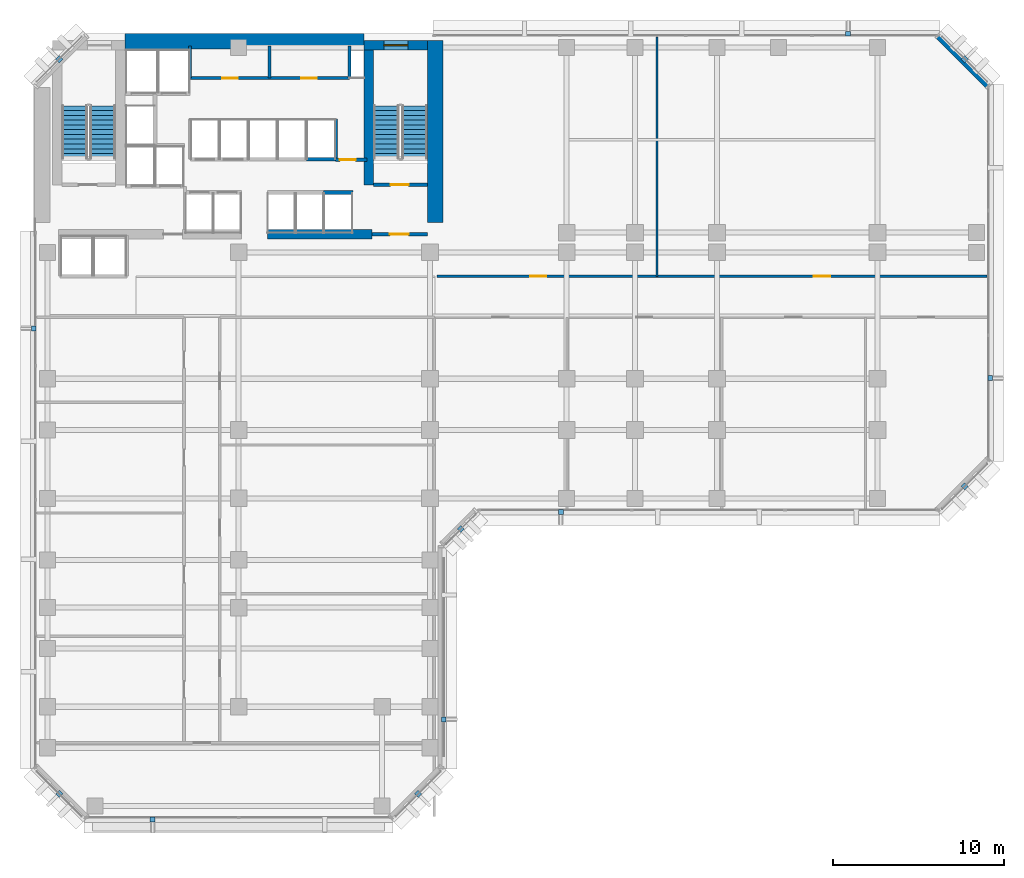
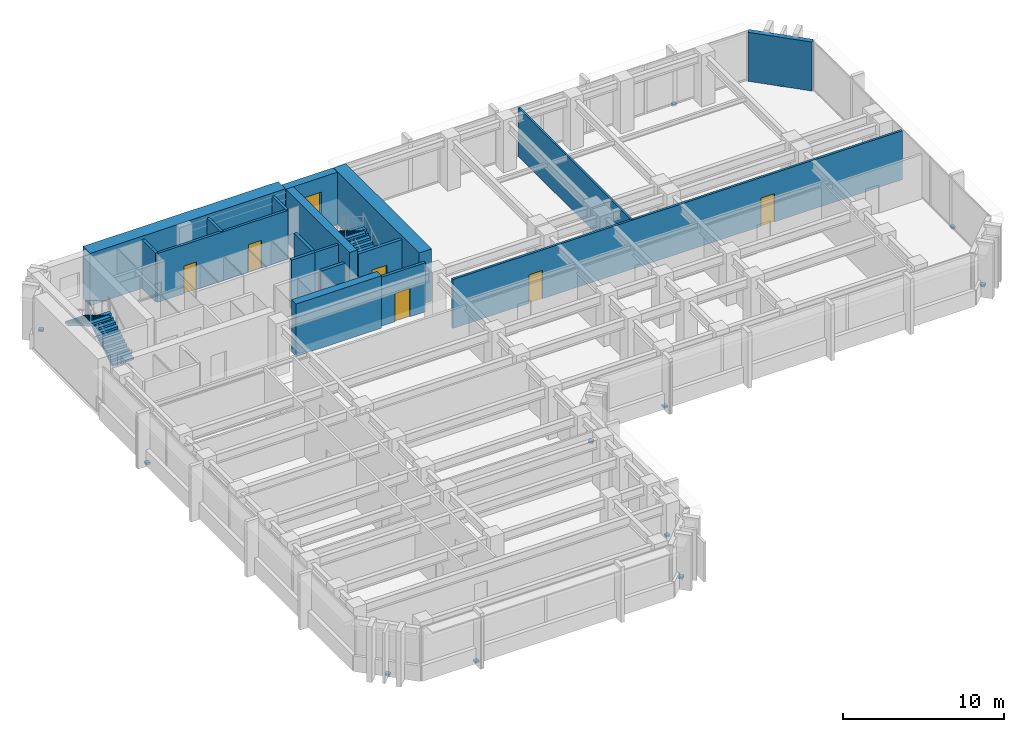
# One storey, part 8 of 13: 18 walls, 12 discrete accessories, 7 doors, 4 stair flights, 1 window, 8 openings, 2 elements without a shape of their own.
"""IFC4 building model written with IfcOpenShell, lengths in metres."""

from ifc_helpers import new_model, si_unit, direction, frame, frame_2d, origin, origin_2d, place, context, subcontext, project, spatial, polyline, rectangle, outline, extrude, material, layer, layer_set, type_object, element, fill, aggregate, save


model = new_model("IFC4")

# Units and contexts
model_context = context("Model", 3, precision=1e-05, world=origin(), true_north=direction((0.0, 1.0)))
body_context = subcontext(model_context, "Body", "Model", "MODEL_VIEW")
ifc_project = project(units=[si_unit("LENGTHUNIT", "METRE"), si_unit("AREAUNIT", "SQUARE_METRE"), si_unit("VOLUMEUNIT", "CUBIC_METRE"), si_unit("PLANEANGLEUNIT", "RADIAN"), si_unit("MASSUNIT", "GRAM", prefix="KILO")], contexts=[model_context])

# Site, building, storey
site_placement = place(None, origin())
site = spatial("IfcSite", under=ifc_project, at=site_placement, CompositionType="ELEMENT")
building_placement = place(site_placement, origin())
building = spatial("IfcBuilding", under=site, at=building_placement, Name="Kefirva Bronze Tower", CompositionType="ELEMENT")
storey_placement = place(building_placement, frame((0.0, 0.0, 54.1201171875)))
storey = spatial("IfcBuildingStorey", under=building, at=storey_placement, Name="L12", CompositionType="ELEMENT", Elevation=54.1201171875)

# Wall
ifc_material_1 = material(Name="Gypsum acoustic partition")
ifc_layer_1 = layer(ifc_material_1, 0.1298828125, Name="Gypsum acoustic partition")
ifc_layer_set_1 = layer_set([ifc_layer_1], Name="Gypsum acoustic partition")
wall_type_1 = type_object("IfcWallType", Name="Acoustic Office Partition 130mm", PredefinedType="PARTITIONING", material=ifc_layer_set_1)
wall_1_placement = place(storey_placement, frame((36.48388671875, 31.800048828125, 0.0), z_axis=(0.0, 0.0, 1.0), x_axis=(0.0, 1.0, 0.0)))
element("IfcWall", 1, at=wall_1_placement, inside=storey, type_object=wall_type_1, Name="L12 Partition W-L12-END1", PredefinedType="PARTITIONING", context=body_context, shape_type="SweptSolid", body=[
    extrude(rectangle(XDim=14.010009765625, YDim=0.1298828125, at=frame_2d((7.0048828125, 0.0))), origin(), (0.0, 0.0, 1.0), 3.7099609375),
])

# Wall, opening, door
ifc_material_2 = material(Name="Gypsum fireboard shaftwall")
ifc_layer_2 = layer(ifc_material_2, 0.219970703125, Name="Gypsum fireboard shaftwall")
ifc_layer_set_2 = layer_set([ifc_layer_2], Name="Gypsum fireboard shaftwall")
wall_type_2 = type_object("IfcWallType", Name="Fire-Rated Shaft Enclosure Wall 220mm", PredefinedType="PARTITIONING", material=ifc_layer_set_2)
wall_2_placement = place(storey_placement, frame((19.89990234375, 37.14990234375, 0.0), z_axis=(0.0, 0.0, 1.0), x_axis=(1.0, 0.0, 0.0)))
wall_2 = element("IfcWall", 2, at=wall_2_placement, inside=storey, type_object=wall_type_2, Name="L12 Partition W-L12-ST2S", PredefinedType="PARTITIONING", context=body_context, shape_type="SweptSolid", body=[
    extrude(rectangle(XDim=3.150146484375, YDim=0.219970703125, at=frame_2d((1.5751953125, 0.0))), origin(), (0.0, 0.0, 1.0), 3.7099609375),
])
opening_1_placement = place(wall_2_placement, frame((2.050048828125, 0.0, 0.0), z_axis=(0.0, 0.0, 1.0), x_axis=(-1.0, 0.0, 0.0)))
opening_1 = element("IfcOpeningElement", 3, at=opening_1_placement, cuts=wall_2, Name="Opening L12-D003", PredefinedType="OPENING", context=body_context, shape_type="SweptSolid", body=[
    extrude(rectangle(XDim=1.050048828125, YDim=2.14990234375, at=frame_2d((0.52490234375, 1.074951171875))), frame((0.0, 0.1201171875, 0.0), z_axis=(0.0, -1.0, 0.0), x_axis=(1.0, 0.0, 0.0)), (0.0, 0.0, 1.0), 0.239990234375),
])
ifc_material_3 = material(Name="Painted galvanized steel", Category="steel")
door_type_1 = type_object("IfcDoorType", Name="Fire Stair Enclosure Door 1050x2150 FD90S", OperationType="NOTDEFINED", PredefinedType="DOOR", material=ifc_material_3)
door_1_placement = place(opening_1_placement, origin())
door_1 = element("IfcDoor", 4, at=door_1_placement, inside=storey, type_object=door_type_1, Name="Door L12-D003", OperationType="SINGLE_SWING_RIGHT", OverallHeight=2.14990234375, OverallWidth=1.050048828125, PredefinedType="DOOR", context=body_context, shape_type="SweptSolid", body=[
    extrude(rectangle(XDim=1.050048828125, YDim=2.14990234375, at=frame_2d((0.52490234375, 1.074951171875))), frame((0.0, 0.02490234375, 0.0), z_axis=(0.0, -1.0, 0.0), x_axis=(1.0, 0.0, 0.0)), (0.0, 0.0, 1.0), 0.050048828125),
])
fill(opening_1, door_1)

# Walls
wall_3_placement = place(storey_placement, frame((17.679931640625, 38.64990234375, 0.0), z_axis=(0.0, 0.0, 1.0), x_axis=(0.0, 1.0, 0.0)))
element("IfcWall", 5, at=wall_3_placement, inside=storey, type_object=wall_type_2, Name="L12 Partition W-L12-HP2E", PredefinedType="PARTITIONING", context=body_context, shape_type="SweptSolid", body=[
    extrude(rectangle(XDim=2.35009765625, YDim=0.199951171875, at=frame_2d((1.175048828125, 0.0))), origin(), (0.0, 0.0, 1.0), 3.7099609375),
])
wall_4_placement = place(storey_placement, frame((16.97998046875, 36.699951171875, 0.0), z_axis=(0.0, 0.0, 1.0), x_axis=(1.0, 0.0, 0.0)))
element("IfcWall", 6, at=wall_4_placement, inside=storey, type_object=wall_type_2, Name="L12 Partition W-L12-HPS", PredefinedType="PARTITIONING", context=body_context, shape_type="SweptSolid", body=[
    extrude(rectangle(XDim=1.699951171875, YDim=0.219970703125, at=frame_2d((0.85009765625, 0.0))), origin(), (0.0, 0.0, 1.0), 3.7099609375),
])
wall_5_placement = place(storey_placement, frame((15.97998046875, 38.64990234375, 0.0), z_axis=(0.0, 0.0, 1.0), x_axis=(1.0, 0.0, 0.0)))
element("IfcWall", 7, at=wall_5_placement, inside=storey, type_object=wall_type_2, Name="L12 Partition W-L12-HPN", PredefinedType="PARTITIONING", context=body_context, shape_type="SweptSolid", body=[
    extrude(rectangle(XDim=1.719970703125, YDim=0.219970703125, at=frame_2d((0.85986328125, 0.0))), origin(), (0.0, 0.0, 1.0), 3.7099609375),
])

# Wall, opening, door
ifc_material_4 = material(Name="Gypsum fireboard barrier")
ifc_layer_3 = layer(ifc_material_4, 0.199951171875, Name="Gypsum fireboard barrier")
ifc_layer_set_3 = layer_set([ifc_layer_3], Name="Gypsum fireboard barrier")
wall_type_3 = type_object("IfcWallType", Name="Firefighting Lobby Barrier Wall 200mm", PredefinedType="PARTITIONING", material=ifc_layer_set_3)
wall_6_placement = place(storey_placement, frame((19.800048828125, 34.25, 0.0), z_axis=(0.0, 0.0, 1.0), x_axis=(1.0, 0.0, 0.0)))
wall_6 = element("IfcWall", 8, at=wall_6_placement, inside=storey, type_object=wall_type_3, Name="L12 Partition W-L12-ST2F", PredefinedType="PARTITIONING", context=body_context, shape_type="SweptSolid", body=[
    extrude(rectangle(XDim=3.25, YDim=0.199951171875, at=frame_2d((1.625, 0.0))), origin(), (0.0, 0.0, 1.0), 3.7099609375),
])
opening_2_placement = place(wall_6_placement, frame((2.150146484375, 0.0, 0.0), z_axis=(0.0, 0.0, 1.0), x_axis=(-1.0, 0.0, 0.0)))
opening_2 = element("IfcOpeningElement", 9, at=opening_2_placement, cuts=wall_6, Name="Opening L12-D004", PredefinedType="OPENING", context=body_context, shape_type="SweptSolid", body=[
    extrude(rectangle(XDim=1.10009765625, YDim=2.14990234375, at=frame_2d((0.550048828125, 1.074951171875))), frame((0.0, 0.10986328125, 0.0), z_axis=(0.0, -1.0, 0.0), x_axis=(1.0, 0.0, 0.0)), (0.0, 0.0, 1.0), 0.219970703125),
])
door_type_2 = type_object("IfcDoorType", Name="Firefighting Lobby Smoke Door 1100x2150 FD60S", OperationType="NOTDEFINED", PredefinedType="DOOR", material=ifc_material_3)
door_2_placement = place(opening_2_placement, origin())
door_2 = element("IfcDoor", 10, at=door_2_placement, inside=storey, type_object=door_type_2, Name="Door L12-D004", OperationType="SINGLE_SWING_LEFT", OverallHeight=2.14990234375, OverallWidth=1.10009765625, PredefinedType="DOOR", context=body_context, shape_type="SweptSolid", body=[
    extrude(rectangle(XDim=1.10009765625, YDim=2.14990234375, at=frame_2d((0.550048828125, 1.074951171875))), frame((0.0, 0.02490234375, 0.0), z_axis=(0.0, -1.0, 0.0), x_axis=(1.0, 0.0, 0.0)), (0.0, 0.0, 1.0), 0.050048828125),
])
fill(opening_2, door_2)

wall_7_placement = place(storey_placement, frame((17.679931640625, 38.6201171875, 0.0), z_axis=(0.0, 0.0, 1.0), x_axis=(1.0, 0.0, 0.0)))
wall_7 = element("IfcWall", 11, at=wall_7_placement, inside=storey, type_object=wall_type_3, Name="L12 Partition W-L12-CPASS", PredefinedType="PARTITIONING", context=body_context, shape_type="SweptSolid", body=[
    extrude(rectangle(XDim=1.840087890625, YDim=0.179931640625, at=frame_2d((0.919921875, 0.0))), origin(), (0.0, 0.0, 1.0), 3.7099609375),
])
opening_3_placement = place(wall_7_placement, frame((0.239990234375, 0.0, 0.0)))
opening_3 = element("IfcOpeningElement", 12, at=opening_3_placement, cuts=wall_7, Name="Opening L12-D-CPAS", PredefinedType="OPENING", context=body_context, shape_type="SweptSolid", body=[
    extrude(rectangle(XDim=0.919921875, YDim=2.10009765625, at=frame_2d((0.4599609375, 1.050048828125))), frame((0.0, 0.10009765625, 0.0), z_axis=(0.0, -1.0, 0.0), x_axis=(1.0, 0.0, 0.0)), (0.0, 0.0, 1.0), 0.199951171875),
])
ifc_material_5 = material(Name="Moisture-resistant timber", Category="wood")
door_type_3 = type_object("IfcDoorType", Name="Accessible Sanitary & WC Door 920x2100", OperationType="NOTDEFINED", PredefinedType="DOOR", material=ifc_material_5)
door_3_placement = place(opening_3_placement, origin())
door_3 = element("IfcDoor", 13, at=door_3_placement, inside=storey, type_object=door_type_3, Name="Door L12-D-CPAS", OperationType="SINGLE_SWING_RIGHT", OverallHeight=2.10009765625, OverallWidth=0.919921875, PredefinedType="DOOR", context=body_context, shape_type="SweptSolid", body=[
    extrude(rectangle(XDim=0.919921875, YDim=2.10009765625, at=frame_2d((0.4599609375, 1.050048828125))), frame((0.0, 0.02490234375, 0.0), z_axis=(0.0, -1.0, 0.0), x_axis=(1.0, 0.0, 0.0)), (0.0, 0.0, 1.0), 0.050048828125),
])
fill(opening_3, door_3)

# Wall
ifc_material_6 = material(Name="Precast concrete C40/50", Category="concrete")
ifc_layer_4 = layer(ifc_material_6, 0.320068359375, Name="Precast concrete C40/50")
ifc_layer_set_4 = layer_set([ifc_layer_4], Name="Precast concrete C40/50")
wall_type_4 = type_object("IfcWallType", Name="Precast Insulated Exterior Wall 320mm", PredefinedType="SOLIDWALL", material=ifc_layer_set_4)
wall_8_placement = place(storey_placement, frame((55.847900390625, 42.92578125, 0.0), z_axis=(0.0, 0.0, 1.0), x_axis=(-0.707106781187, 0.707106781187, 0.0)))
element("IfcWall", 14, at=wall_8_placement, inside=storey, type_object=wall_type_4, Name="L12 Exterior Facade Wall 5", PredefinedType="SOLIDWALL", context=body_context, shape_type="SweptSolid", body=[
    extrude(rectangle(XDim=4.132568359375, YDim=0.320068359375, at=frame_2d((2.06640625, 0.0))), origin(), (0.0, 0.0, 1.0), 3.7099609375),
])

# Wall, openings, doors
ifc_layer_5 = layer(ifc_material_1, 0.159912109375, Name="Gypsum acoustic partition")
ifc_layer_set_5 = layer_set([ifc_layer_5], Name="Gypsum acoustic partition")
wall_type_5 = type_object("IfcWallType", Name="Protected Corridor Partition 160mm", PredefinedType="PARTITIONING", material=ifc_layer_set_5)
wall_9_placement = place(storey_placement, frame((23.60009765625, 31.800048828125, 0.0), z_axis=(0.0, 0.0, 1.0), x_axis=(1.0, 0.0, 0.0)))
wall_9 = element("IfcWall", 15, at=wall_9_placement, inside=storey, type_object=wall_type_5, Name="L12 Partition W-L12-EWN", PredefinedType="PARTITIONING", context=body_context, shape_type="SweptSolid", body=[
    extrude(rectangle(XDim=32.2099609375, YDim=0.159912109375, at=frame_2d((16.10498046875, 0.0))), origin(), (0.0, 0.0, 1.0), 3.7099609375),
])
opening_4_placement = place(wall_9_placement, frame((5.467041015625, 0.0, 0.0)))
opening_4 = element("IfcOpeningElement", 16, at=opening_4_placement, cuts=wall_9, Name="Opening L12-D-EN1", PredefinedType="OPENING", context=body_context, shape_type="SweptSolid", body=[
    extrude(rectangle(XDim=0.949951171875, YDim=2.14990234375, at=frame_2d((0.47509765625, 1.074951171875))), frame((0.0, 0.08984375, 0.0), z_axis=(0.0, -1.0, 0.0), x_axis=(1.0, 0.0, 0.0)), (0.0, 0.0, 1.0), 0.179931640625),
])
opening_5_placement = place(wall_9_placement, frame((22.072021484375, 0.0, 0.0)))
opening_5 = element("IfcOpeningElement", 17, at=opening_5_placement, cuts=wall_9, Name="Opening L12-D-EN2", PredefinedType="OPENING", context=body_context, shape_type="SweptSolid", body=[
    extrude(rectangle(XDim=0.949951171875, YDim=2.14990234375, at=frame_2d((0.47509765625, 1.074951171875))), frame((0.0, 0.08984375, 0.0), z_axis=(0.0, -1.0, 0.0), x_axis=(1.0, 0.0, 0.0)), (0.0, 0.0, 1.0), 0.179931640625),
])
ifc_material_7 = material(Name="Acoustic hardwood oak", Category="wood")
door_type_4 = type_object("IfcDoorType", Name="Office & Meeting Room Door 950x2150", OperationType="NOTDEFINED", PredefinedType="DOOR", material=ifc_material_7)
door_4_placement = place(opening_4_placement, origin())
door_4 = element("IfcDoor", 18, at=door_4_placement, inside=storey, type_object=door_type_4, Name="Door L12-D-EN1", OperationType="SINGLE_SWING_LEFT", OverallHeight=2.14990234375, OverallWidth=0.949951171875, PredefinedType="DOOR", context=body_context, shape_type="SweptSolid", body=[
    extrude(rectangle(XDim=0.949951171875, YDim=2.14990234375, at=frame_2d((0.47509765625, 1.074951171875))), frame((0.0, 0.02490234375, 0.0), z_axis=(0.0, -1.0, 0.0), x_axis=(1.0, 0.0, 0.0)), (0.0, 0.0, 1.0), 0.050048828125),
])
fill(opening_4, door_4)
door_5_placement = place(opening_5_placement, origin())
door_5 = element("IfcDoor", 19, at=door_5_placement, inside=storey, type_object=door_type_4, Name="Door L12-D-EN2", OperationType="SINGLE_SWING_RIGHT", OverallHeight=2.14990234375, OverallWidth=0.949951171875, PredefinedType="DOOR", context=body_context, shape_type="SweptSolid", body=[
    extrude(rectangle(XDim=0.949951171875, YDim=2.14990234375, at=frame_2d((0.47509765625, 1.074951171875))), frame((0.0, 0.02490234375, 0.0), z_axis=(0.0, -1.0, 0.0), x_axis=(1.0, 0.0, 0.0)), (0.0, 0.0, 1.0), 0.050048828125),
])
fill(opening_5, door_5)

# Wall, opening, window
ifc_material_8 = material(Name="Concrete C50/60", Category="concrete")
ifc_layer_6 = layer(ifc_material_8, 0.550048828125, Name="Concrete C50/60")
ifc_layer_set_6 = layer_set([ifc_layer_6], Name="Concrete C50/60")
wall_type_6 = type_object("IfcWallType", Name="RC Rear Core Exterior Wall 550mm", PredefinedType="SHEAR", material=ifc_layer_set_6)
wall_10_placement = place(storey_placement, frame((19.35009765625, 45.320068359375, 0.0), z_axis=(0.0, 0.0, 1.0), x_axis=(1.0, 0.0, 0.0)))
wall_10 = element("IfcWall", 20, at=wall_10_placement, inside=storey, type_object=wall_type_6, Name="L12 Stair 2 North Shear Wall", PredefinedType="SHEAR", context=body_context, shape_type="SweptSolid", body=[
    extrude(rectangle(XDim=3.68994140625, YDim=0.550048828125, at=frame_2d((1.844970703125, 0.0))), origin(), (0.0, 0.0, 1.0), 3.9599609375),
])
opening_6_placement = place(wall_10_placement, frame((1.14990234375, 0.0, 1.050048828125)))
opening_6 = element("IfcOpeningElement", 21, at=opening_6_placement, cuts=wall_10, Name="Opening WN-03", PredefinedType="OPENING", context=body_context, shape_type="SweptSolid", body=[
    extrude(rectangle(XDim=1.39990234375, YDim=1.800048828125, at=frame_2d((0.699951171875, 0.89990234375))), frame((0.0, 0.28515625, 0.0), z_axis=(0.0, -1.0, 0.0), x_axis=(1.0, 0.0, 0.0)), (0.0, 0.0, 1.0), 0.570068359375),
])
ifc_material_9 = material(Name="Laminated low-E double glazing", Category="glass")
window_type = type_object("IfcWindowType", Name="Rear-Core Stair Daylight Window 1400x1800", PartitioningType="SINGLE_PANEL", PredefinedType="WINDOW", material=ifc_material_9)
window_placement = place(opening_6_placement, origin())
window = element("IfcWindow", 22, at=window_placement, inside=storey, type_object=window_type, Name="L12 Stair 2 Daylight Window", OverallHeight=1.800048828125, OverallWidth=1.39990234375, PartitioningType="SINGLE_PANEL", PredefinedType="WINDOW", context=body_context, shape_type="SweptSolid", body=[
    extrude(rectangle(XDim=1.39990234375, YDim=1.800048828125, at=frame_2d((0.699951171875, 0.89990234375))), frame((0.0, 0.030029296875, 0.0), z_axis=(0.0, -1.0, 0.0), x_axis=(1.0, 0.0, 0.0)), (0.0, 0.0, 1.0), 0.06005859375),
])
fill(opening_6, window)

# Walls
ifc_material_10 = material(Name="Concrete C60/75", Category="concrete")
ifc_layer_7 = layer(ifc_material_10, 0.89990234375, Name="Concrete C60/75")
ifc_layer_set_7 = layer_set([ifc_layer_7], Name="Concrete C60/75")
wall_type_7 = type_object("IfcWallType", Name="RC Rear Core Exterior Wall 900mm", PredefinedType="SHEAR", material=ifc_layer_set_7)
wall_11_placement = place(storey_placement, frame((5.360107421875, 45.550048828125, 0.0), z_axis=(0.0, 0.0, 1.0), x_axis=(1.0, 0.0, 0.0)))
element("IfcWall", 23, at=wall_11_placement, inside=storey, type_object=wall_type_7, Name="L12 Rear Core North Shear Wall", PredefinedType="SHEAR", context=body_context, shape_type="SweptSolid", body=[
    extrude(rectangle(XDim=13.97998046875, YDim=0.89990234375, at=frame_2d((6.989990234375, 0.0))), origin(), (0.0, 0.0, 1.0), 3.9599609375),
])
ifc_layer_8 = layer(ifc_material_8, 0.550048828125, Name="Concrete C50/60")
ifc_layer_set_8 = layer_set([ifc_layer_8], Name="Concrete C50/60")
wall_type_8 = type_object("IfcWallType", Name="RC Rear Core Interior Wall 550mm", PredefinedType="SHEAR", material=ifc_layer_set_8)
wall_12_placement = place(storey_placement, frame((19.6201171875, 37.14990234375, 0.0), z_axis=(0.0, 0.0, 1.0), x_axis=(0.0, 1.0, 0.0)))
element("IfcWall", 24, at=wall_12_placement, inside=storey, type_object=wall_type_8, Name="L12 Stair 2 West Shear Wall", PredefinedType="SHEAR", context=body_context, shape_type="SweptSolid", body=[
    extrude(rectangle(XDim=7.89013671875, YDim=0.550048828125, at=frame_2d((3.945068359375, 0.0))), origin(), (0.0, 0.0, 1.0), 3.9599609375),
])
ifc_layer_9 = layer(ifc_material_10, 0.89990234375, Name="Concrete C60/75")
ifc_layer_set_9 = layer_set([ifc_layer_9], Name="Concrete C60/75")
wall_type_9 = type_object("IfcWallType", Name="RC Rear Core Interior Wall 900mm", PredefinedType="SHEAR", material=ifc_layer_set_9)
wall_13_placement = place(storey_placement, frame((23.5, 34.949951171875, 0.0), z_axis=(0.0, 0.0, 1.0), x_axis=(0.0, 1.0, 0.0)))
element("IfcWall", 25, at=wall_13_placement, inside=storey, type_object=wall_type_9, Name="L12 Rear Core East Shear Wall", PredefinedType="SHEAR", context=body_context, shape_type="SweptSolid", body=[
    extrude(rectangle(XDim=10.64013671875, YDim=0.89990234375, at=frame_2d((5.320068359375, 0.0))), origin(), (0.0, 0.0, 1.0), 3.9599609375),
])
wall_14_placement = place(storey_placement, frame((13.679931640625, 34.25, 0.0), z_axis=(0.0, 0.0, 1.0), x_axis=(1.0, 0.0, 0.0)))
element("IfcWall", 26, at=wall_14_placement, inside=storey, type_object=wall_type_9, Name="L12 Rear Core South-East Shear Wall", PredefinedType="SHEAR", context=body_context, shape_type="SweptSolid", body=[
    extrude(rectangle(XDim=6.1201171875, YDim=0.550048828125, at=frame_2d((3.06005859375, 0.0))), origin(), (0.0, 0.0, 1.0), 3.9599609375),
])

# Wall, openings, doors
ifc_material_11 = material(Name="Moisture-resistant partition")
ifc_layer_10 = layer(ifc_material_11, 0.179931640625, Name="Moisture-resistant partition")
ifc_layer_set_10 = layer_set([ifc_layer_10], Name="Moisture-resistant partition")
wall_type_10 = type_object("IfcWallType", Name="Sanitary Plumbing Chase Wall 180mm", PredefinedType="PLUMBINGWALL", material=ifc_layer_set_10)
wall_15_placement = place(storey_placement, frame((9.14990234375, 43.39990234375, 0.0), z_axis=(0.0, 0.0, 1.0), x_axis=(1.0, 0.0, 0.0)))
wall_15 = element("IfcWall", 27, at=wall_15_placement, inside=storey, type_object=wall_type_10, Name="L12 Partition W-L12-SVCS", PredefinedType="PLUMBINGWALL", context=body_context, shape_type="SweptSolid", body=[
    extrude(rectangle(XDim=9.330078125, YDim=0.179931640625, at=frame_2d((4.6650390625, 0.0))), origin(), (0.0, 0.0, 1.0), 3.7099609375),
])
opening_7_placement = place(wall_15_placement, frame((1.8798828125, 0.0, 0.0)))
opening_7 = element("IfcOpeningElement", 28, at=opening_7_placement, cuts=wall_15, Name="Opening L12-D-CSVC1", PredefinedType="OPENING", context=body_context, shape_type="SweptSolid", body=[
    extrude(rectangle(XDim=0.919921875, YDim=2.10009765625, at=frame_2d((0.4599609375, 1.050048828125))), frame((0.0, 0.10009765625, 0.0), z_axis=(0.0, -1.0, 0.0), x_axis=(1.0, 0.0, 0.0)), (0.0, 0.0, 1.0), 0.199951171875),
])
opening_8_placement = place(wall_15_placement, frame((6.514892578125, 0.0, 0.0)))
opening_8 = element("IfcOpeningElement", 29, at=opening_8_placement, cuts=wall_15, Name="Opening L12-D-CSVC2", PredefinedType="OPENING", context=body_context, shape_type="SweptSolid", body=[
    extrude(rectangle(XDim=0.919921875, YDim=2.10009765625, at=frame_2d((0.4599609375, 1.050048828125))), frame((0.0, 0.10009765625, 0.0), z_axis=(0.0, -1.0, 0.0), x_axis=(1.0, 0.0, 0.0)), (0.0, 0.0, 1.0), 0.199951171875),
])
door_6_placement = place(opening_7_placement, origin())
door_6 = element("IfcDoor", 30, at=door_6_placement, inside=storey, type_object=door_type_3, Name="Door L12-D-CSVC1", OperationType="SINGLE_SWING_LEFT", OverallHeight=2.10009765625, OverallWidth=0.919921875, PredefinedType="DOOR", context=body_context, shape_type="SweptSolid", body=[
    extrude(rectangle(XDim=0.919921875, YDim=2.10009765625, at=frame_2d((0.4599609375, 1.050048828125))), frame((0.0, 0.02490234375, 0.0), z_axis=(0.0, -1.0, 0.0), x_axis=(1.0, 0.0, 0.0)), (0.0, 0.0, 1.0), 0.050048828125),
])
fill(opening_7, door_6)
door_7_placement = place(opening_8_placement, origin())
door_7 = element("IfcDoor", 31, at=door_7_placement, inside=storey, type_object=door_type_3, Name="Door L12-D-CSVC2", OperationType="SINGLE_SWING_RIGHT", OverallHeight=2.10009765625, OverallWidth=0.919921875, PredefinedType="DOOR", context=body_context, shape_type="SweptSolid", body=[
    extrude(rectangle(XDim=0.919921875, YDim=2.10009765625, at=frame_2d((0.4599609375, 1.050048828125))), frame((0.0, 0.02490234375, 0.0), z_axis=(0.0, -1.0, 0.0), x_axis=(1.0, 0.0, 0.0)), (0.0, 0.0, 1.0), 0.050048828125),
])
fill(opening_8, door_7)

# Walls
for number, where, z_axis, x_axis, name in (
    (32, (9.14990234375, 43.39990234375, 0.0), (0.0, 0.0, 1.0), (0.0, 1.0, 0.0), "L12 Partition W-L12-SVCW"),
    (33, (18.47998046875, 43.39990234375, 0.0), (0.0, 0.0, 1.0), (0.0, 1.0, 0.0), "L12 Partition W-L12-SVCE"),
    (34, (13.800048828125, 43.39990234375, 0.0), (0.0, 0.0, 1.0), (0.0, 1.0, 0.0), "L12 Partition W-L12-CSVD-1"),
):
    element("IfcWall", number, at=place(storey_placement, frame(where, z_axis=z_axis, x_axis=x_axis)), inside=storey, type_object=wall_type_10, Name=name, PredefinedType="PLUMBINGWALL", context=body_context, shape_type="SweptSolid", body=[
        extrude(rectangle(XDim=1.880126953125, YDim=0.179931640625, at=frame_2d((0.93994140625, 0.0))), origin(), (0.0, 0.0, 1.0), 3.7099609375),
    ])

# Stair, stair flights
ifc_material_12 = material(Name="Concrete C40/50", Category="concrete")
stair_type = type_object("IfcStairType", Name="RC Dogleg Protected Stair 24R", PredefinedType="HALF_TURN_STAIR", material=ifc_material_12)
stair_1_placement = place(storey_placement, origin())
stair_1 = element("IfcStair", 35, at=stair_1_placement, inside=storey, type_object=stair_type, Name="L12 Protected Exit Stair 1", PredefinedType="HALF_TURN_STAIR")
stair_flight_type = type_object("IfcStairFlightType", Name="RC Straight Stair Flight 24R", PredefinedType="STRAIGHT", material=ifc_material_12)
stair_flight_1_placement = place(storey_placement, frame((4.050048828125, 38.699951171875, 0.0), z_axis=(0.0, 0.0, 1.0), x_axis=(0.0, 1.0, 0.0)))
stair_flight_1 = element("IfcStairFlight", 36, at=stair_flight_1_placement, type_object=stair_flight_type, Name="ST-1 flight 1", NumberOfRisers=12, NumberOfTreads=11, PredefinedType="STRAIGHT", RiserHeight=0.165, TreadLength=0.28, context=body_context, shape_type="SweptSolid", body=[
    extrude(outline(polyline([(0.0, 0.0), (0.0, 0.1650390625), (0.280029296875, 0.1650390625), (0.280029296875, 0.330078125), (0.56005859375, 0.330078125), (0.56005859375, 0.4951171875), (0.840087890625, 0.4951171875), (0.840087890625, 0.659912109375), (1.1201171875, 0.659912109375), (1.1201171875, 0.824951171875), (1.39990234375, 0.824951171875), (1.39990234375, 0.989990234375), (1.679931640625, 0.989990234375), (1.679931640625, 1.155029296875), (1.9599609375, 1.155029296875), (1.9599609375, 1.320068359375), (2.239990234375, 1.320068359375), (2.239990234375, 1.485107421875), (2.52001953125, 1.485107421875), (2.52001953125, 1.64990234375), (2.800048828125, 1.64990234375), (2.800048828125, 1.81494140625), (3.080078125, 1.81494140625), (3.080078125, 1.97998046875), (3.080078125, 1.64111328125), (0.295166015625, 0.0), (0.0, 0.0)])), frame((0.0, 0.75, 0.0), z_axis=(0.0, -1.0, 0.0), x_axis=(1.0, 0.0, 0.0)), (0.0, 0.0, 1.0), 1.5),
])
stair_flight_2_placement = place(storey_placement, frame((2.39990234375, 41.780029296875, 1.97998046875), z_axis=(0.0, 0.0, 1.0), x_axis=(0.0, -1.0, 0.0)))
stair_flight_2 = element("IfcStairFlight", 37, at=stair_flight_2_placement, type_object=stair_flight_type, Name="ST-1 flight 2", NumberOfRisers=12, NumberOfTreads=11, PredefinedType="STRAIGHT", RiserHeight=0.165, TreadLength=0.28, context=body_context, shape_type="SweptSolid", body=[
    extrude(outline(polyline([(0.0, 0.0), (0.0, 0.1650390625), (0.280029296875, 0.1650390625), (0.280029296875, 0.330078125), (0.56005859375, 0.330078125), (0.56005859375, 0.4951171875), (0.840087890625, 0.4951171875), (0.840087890625, 0.659912109375), (1.1201171875, 0.659912109375), (1.1201171875, 0.824951171875), (1.39990234375, 0.824951171875), (1.39990234375, 0.989990234375), (1.679931640625, 0.989990234375), (1.679931640625, 1.155029296875), (1.9599609375, 1.155029296875), (1.9599609375, 1.320068359375), (2.239990234375, 1.320068359375), (2.239990234375, 1.485107421875), (2.52001953125, 1.485107421875), (2.52001953125, 1.64990234375), (2.800048828125, 1.64990234375), (2.800048828125, 1.81494140625), (3.080078125, 1.81494140625), (3.080078125, 1.97998046875), (3.080078125, 1.64111328125), (0.295166015625, 0.0), (0.0, 0.0)])), frame((0.0, 0.75, 0.0), z_axis=(0.0, -1.0, 0.0), x_axis=(1.0, 0.0, 0.0)), (0.0, 0.0, 1.0), 1.5),
])
aggregate(stair_1, [stair_flight_1, stair_flight_2])

stair_2_placement = place(storey_placement, origin())
stair_2 = element("IfcStair", 38, at=stair_2_placement, inside=storey, type_object=stair_type, Name="L12 Protected Exit Stair 2", PredefinedType="HALF_TURN_STAIR")
stair_flight_3_placement = place(storey_placement, frame((22.300048828125, 38.699951171875, 0.0), z_axis=(0.0, 0.0, 1.0), x_axis=(0.0, 1.0, 0.0)))
stair_flight_3 = element("IfcStairFlight", 39, at=stair_flight_3_placement, type_object=stair_flight_type, Name="ST-2 flight 1", NumberOfRisers=12, NumberOfTreads=11, PredefinedType="STRAIGHT", RiserHeight=0.165, TreadLength=0.28, context=body_context, shape_type="SweptSolid", body=[
    extrude(outline(polyline([(0.0, 0.0), (0.0, 0.1650390625), (0.280029296875, 0.1650390625), (0.280029296875, 0.330078125), (0.56005859375, 0.330078125), (0.56005859375, 0.4951171875), (0.840087890625, 0.4951171875), (0.840087890625, 0.659912109375), (1.1201171875, 0.659912109375), (1.1201171875, 0.824951171875), (1.39990234375, 0.824951171875), (1.39990234375, 0.989990234375), (1.679931640625, 0.989990234375), (1.679931640625, 1.155029296875), (1.9599609375, 1.155029296875), (1.9599609375, 1.320068359375), (2.239990234375, 1.320068359375), (2.239990234375, 1.485107421875), (2.52001953125, 1.485107421875), (2.52001953125, 1.64990234375), (2.800048828125, 1.64990234375), (2.800048828125, 1.81494140625), (3.080078125, 1.81494140625), (3.080078125, 1.97998046875), (3.080078125, 1.64111328125), (0.295166015625, 0.0), (0.0, 0.0)])), frame((0.0, 0.75, 0.0), z_axis=(0.0, -1.0, 0.0), x_axis=(1.0, 0.0, 0.0)), (0.0, 0.0, 1.0), 1.5),
])
stair_flight_4_placement = place(storey_placement, frame((20.64990234375, 41.780029296875, 1.97998046875), z_axis=(0.0, 0.0, 1.0), x_axis=(0.0, -1.0, 0.0)))
stair_flight_4 = element("IfcStairFlight", 40, at=stair_flight_4_placement, type_object=stair_flight_type, Name="ST-2 flight 2", NumberOfRisers=12, NumberOfTreads=11, PredefinedType="STRAIGHT", RiserHeight=0.165, TreadLength=0.28, context=body_context, shape_type="SweptSolid", body=[
    extrude(outline(polyline([(0.0, 0.0), (0.0, 0.1650390625), (0.280029296875, 0.1650390625), (0.280029296875, 0.330078125), (0.56005859375, 0.330078125), (0.56005859375, 0.4951171875), (0.840087890625, 0.4951171875), (0.840087890625, 0.659912109375), (1.1201171875, 0.659912109375), (1.1201171875, 0.824951171875), (1.39990234375, 0.824951171875), (1.39990234375, 0.989990234375), (1.679931640625, 0.989990234375), (1.679931640625, 1.155029296875), (1.9599609375, 1.155029296875), (1.9599609375, 1.320068359375), (2.239990234375, 1.320068359375), (2.239990234375, 1.485107421875), (2.52001953125, 1.485107421875), (2.52001953125, 1.64990234375), (2.800048828125, 1.64990234375), (2.800048828125, 1.81494140625), (3.080078125, 1.81494140625), (3.080078125, 1.97998046875), (3.080078125, 1.64111328125), (0.295166015625, 0.0), (0.0, 0.0)])), frame((0.0, 0.75, 0.0), z_axis=(0.0, -1.0, 0.0), x_axis=(1.0, 0.0, 0.0)), (0.0, 0.0, 1.0), 1.5),
])
aggregate(stair_2, [stair_flight_3, stair_flight_4])

# Discrete accessories
ifc_material_13 = material(Name="Stainless steel 316", Category="steel")
ifc_layer_11 = layer(ifc_material_13, 0.159912109375, Name="Stainless steel 316")
ifc_layer_set_11 = layer_set([ifc_layer_11], Name="Stainless steel 316")
discrete_accessory_type = type_object("IfcDiscreteAccessoryType", Name="Stainless Facade Outrigger Bracket", PredefinedType="BRACKET", material=ifc_layer_set_11)
discrete_accessory_1_placement = place(storey_placement, frame((6.9599609375, 0.0, -0.16015625), z_axis=(0.0, 0.0, 1.0), x_axis=(1.0, 0.0, 0.0)))
element("IfcDiscreteAccessory", 41, at=discrete_accessory_1_placement, inside=storey, type_object=discrete_accessory_type, Name="L12 Rib Outrigger Bracket 1", PredefinedType="BRACKET", context=body_context, shape_type="SweptSolid", body=[
    extrude(rectangle(XDim=0.280029296875, YDim=0.280029296875, at=origin_2d()), origin(), (0.0, 0.0, 1.0), 0.159912109375),
])
discrete_accessory_2_placement = place(storey_placement, frame((22.5, 1.5, -0.16015625), z_axis=(0.0, 0.0, 1.0), x_axis=(0.707106781187, 0.707106781187, 0.0)))
element("IfcDiscreteAccessory", 42, at=discrete_accessory_2_placement, inside=storey, type_object=discrete_accessory_type, Name="L12 Corner Fin Outrigger Bracket 4", PredefinedType="BRACKET", context=body_context, shape_type="SweptSolid", body=[
    extrude(rectangle(XDim=0.300048828125, YDim=0.300048828125, at=origin_2d()), origin(), (0.0, 0.0, 1.0), 0.159912109375),
])
discrete_accessory_3_placement = place(storey_placement, frame((24.0, 5.860107421875, -0.16015625), z_axis=(0.0, 0.0, 1.0), x_axis=(0.0, 1.0, 0.0)))
element("IfcDiscreteAccessory", 43, at=discrete_accessory_3_placement, inside=storey, type_object=discrete_accessory_type, Name="L12 Rib Outrigger Bracket 5", PredefinedType="BRACKET", context=body_context, shape_type="SweptSolid", body=[
    extrude(rectangle(XDim=0.280029296875, YDim=0.280029296875, at=origin_2d()), origin(), (0.0, 0.0, 1.0), 0.159912109375),
])
discrete_accessory_4_placement = place(storey_placement, frame((25.0, 17.0, -0.16015625), z_axis=(0.0, 0.0, 1.0), x_axis=(0.707106781187, 0.707106781187, 0.0)))
element("IfcDiscreteAccessory", 44, at=discrete_accessory_4_placement, inside=storey, type_object=discrete_accessory_type, Name="L12 Corner Fin Outrigger Bracket 8", PredefinedType="BRACKET", context=body_context, shape_type="SweptSolid", body=[
    extrude(rectangle(XDim=0.300048828125, YDim=0.300048828125, at=origin_2d()), origin(), (0.0, 0.0, 1.0), 0.159912109375),
])
discrete_accessory_5_placement = place(storey_placement, frame((30.860107421875, 18.0, -0.16015625), z_axis=(0.0, 0.0, 1.0), x_axis=(1.0, 0.0, 0.0)))
element("IfcDiscreteAccessory", 45, at=discrete_accessory_5_placement, inside=storey, type_object=discrete_accessory_type, Name="L12 Rib Outrigger Bracket 9", PredefinedType="BRACKET", context=body_context, shape_type="SweptSolid", body=[
    extrude(rectangle(XDim=0.280029296875, YDim=0.280029296875, at=origin_2d()), origin(), (0.0, 0.0, 1.0), 0.159912109375),
])
discrete_accessory_6_placement = place(storey_placement, frame((54.5, 19.5, -0.16015625), z_axis=(0.0, 0.0, 1.0), x_axis=(0.707106781187, 0.707106781187, 0.0)))
element("IfcDiscreteAccessory", 46, at=discrete_accessory_6_placement, inside=storey, type_object=discrete_accessory_type, Name="L12 Corner Fin Outrigger Bracket 14", PredefinedType="BRACKET", context=body_context, shape_type="SweptSolid", body=[
    extrude(rectangle(XDim=0.300048828125, YDim=0.300048828125, at=origin_2d()), origin(), (0.0, 0.0, 1.0), 0.159912109375),
])
discrete_accessory_7_placement = place(storey_placement, frame((56.0, 25.840087890625, -0.16015625), z_axis=(0.0, 0.0, 1.0), x_axis=(0.0, 1.0, 0.0)))
element("IfcDiscreteAccessory", 47, at=discrete_accessory_7_placement, inside=storey, type_object=discrete_accessory_type, Name="L12 Rib Outrigger Bracket 15", PredefinedType="BRACKET", context=body_context, shape_type="SweptSolid", body=[
    extrude(rectangle(XDim=0.280029296875, YDim=0.280029296875, at=origin_2d()), origin(), (0.0, 0.0, 1.0), 0.159912109375),
])
discrete_accessory_8_placement = place(storey_placement, frame((54.5, 44.5, -0.16015625), z_axis=(0.0, 0.0, 1.0), x_axis=(-0.707106781187, 0.707106781187, 0.0)))
element("IfcDiscreteAccessory", 48, at=discrete_accessory_8_placement, inside=storey, type_object=discrete_accessory_type, Name="L12 Corner Fin Outrigger Bracket 18", PredefinedType="BRACKET", context=body_context, shape_type="SweptSolid", body=[
    extrude(rectangle(XDim=0.300048828125, YDim=0.300048828125, at=origin_2d()), origin(), (0.0, 0.0, 1.0), 0.159912109375),
])
discrete_accessory_9_placement = place(storey_placement, frame((47.6728515625, 46.0, -0.16015625), z_axis=(0.0, 0.0, 1.0), x_axis=(-1.0, 0.0, 0.0)))
element("IfcDiscreteAccessory", 49, at=discrete_accessory_9_placement, inside=storey, type_object=discrete_accessory_type, Name="L12 Rib Outrigger Bracket 19", PredefinedType="BRACKET", context=body_context, shape_type="SweptSolid", body=[
    extrude(rectangle(XDim=0.280029296875, YDim=0.280029296875, at=origin_2d()), origin(), (0.0, 0.0, 1.0), 0.159912109375),
])
discrete_accessory_10_placement = place(storey_placement, frame((1.5, 44.5, -0.16015625), z_axis=(0.0, 0.0, 1.0), x_axis=(-0.707106781187, -0.707106781187, 0.0)))
element("IfcDiscreteAccessory", 50, at=discrete_accessory_10_placement, inside=storey, type_object=discrete_accessory_type, Name="L12 Corner Fin Outrigger Bracket 24", PredefinedType="BRACKET", context=body_context, shape_type="SweptSolid", body=[
    extrude(rectangle(XDim=0.300048828125, YDim=0.300048828125, at=origin_2d()), origin(), (0.0, 0.0, 1.0), 0.159912109375),
])
discrete_accessory_11_placement = place(storey_placement, frame((0.0, 28.743896484375, -0.16015625), z_axis=(0.0, 0.0, 1.0), x_axis=(0.0, -1.0, 0.0)))
element("IfcDiscreteAccessory", 51, at=discrete_accessory_11_placement, inside=storey, type_object=discrete_accessory_type, Name="L12 Rib Outrigger Bracket 25", PredefinedType="BRACKET", context=body_context, shape_type="SweptSolid", body=[
    extrude(rectangle(XDim=0.280029296875, YDim=0.280029296875, at=origin_2d()), origin(), (0.0, 0.0, 1.0), 0.159912109375),
])
discrete_accessory_12_placement = place(storey_placement, frame((1.5, 1.5, -0.16015625), z_axis=(0.0, 0.0, 1.0), x_axis=(0.707106781187, -0.707106781187, 0.0)))
element("IfcDiscreteAccessory", 52, at=discrete_accessory_12_placement, inside=storey, type_object=discrete_accessory_type, Name="L12 Corner Fin Outrigger Bracket 30", PredefinedType="BRACKET", context=body_context, shape_type="SweptSolid", body=[
    extrude(rectangle(XDim=0.300048828125, YDim=0.300048828125, at=origin_2d()), origin(), (0.0, 0.0, 1.0), 0.159912109375),
])

save(model, "model.ifc")
